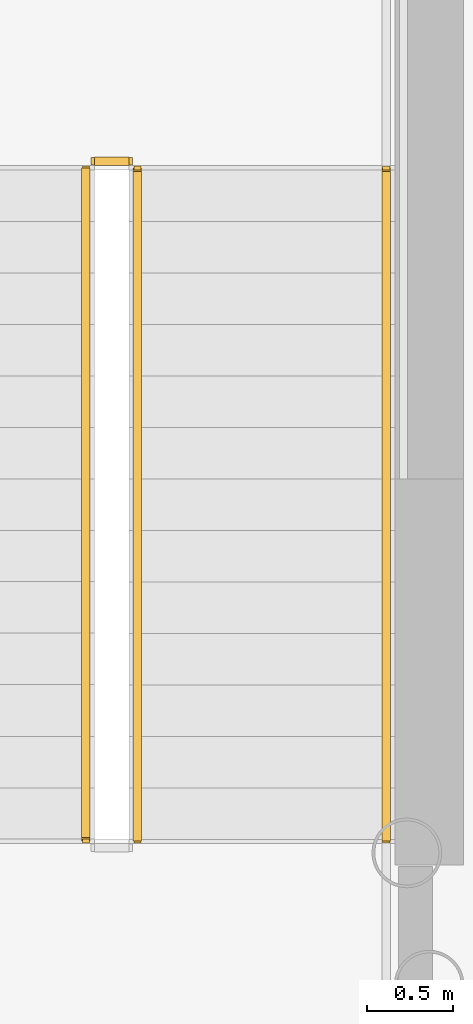
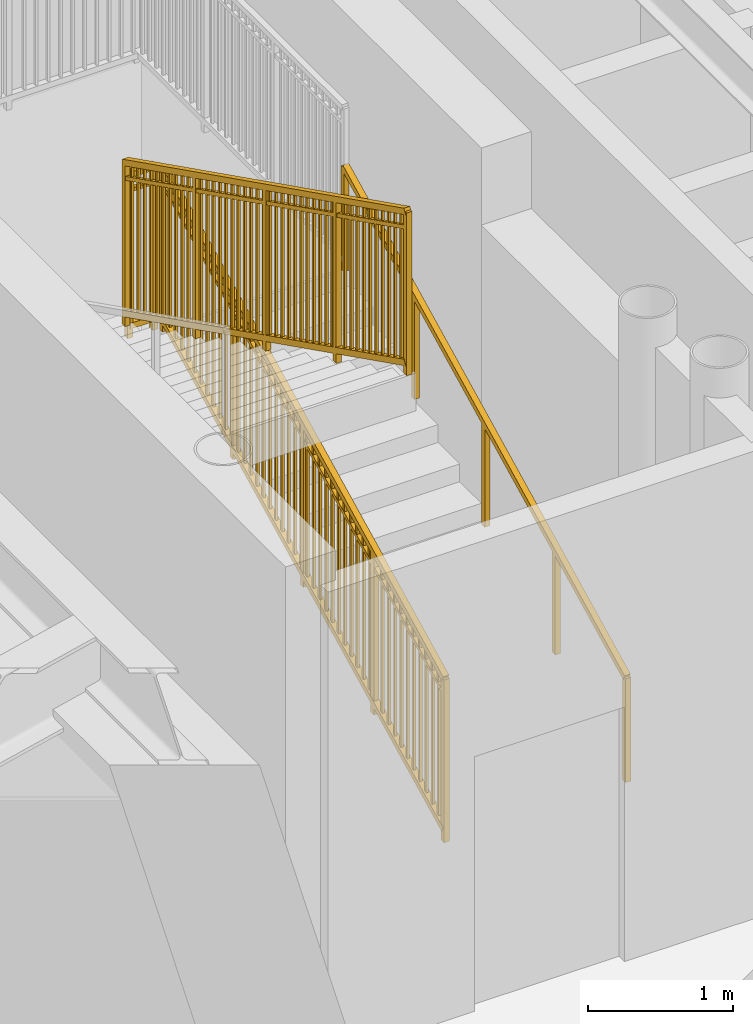
# One storey, part 16 of 21: 4 railings.
"""IFC4 building model written with IfcOpenShell, lengths in metres."""

from ifc_helpers import new_model, si_unit, direction, frame, origin, origin_2d, place, context, subcontext, project, spatial, rectangle, extrude, source, transform, mapped, material, type_object, element, save


model = new_model("IFC4")

# Units and contexts
model_context = context("Model", 3, precision=1e-05, world=origin(), true_north=direction((0.0, 1.0)))
body_context = subcontext(model_context, "Body", "Model", "MODEL_VIEW")
ifc_project = project(units=[si_unit("LENGTHUNIT", "METRE"), si_unit("AREAUNIT", "SQUARE_METRE"), si_unit("VOLUMEUNIT", "CUBIC_METRE"), si_unit("PLANEANGLEUNIT", "RADIAN"), si_unit("MASSUNIT", "GRAM", prefix="KILO")], contexts=[model_context])

# Site, building, storey
site_placement = place(None, origin())
site = spatial("IfcSite", under=ifc_project, at=site_placement, CompositionType="ELEMENT")
building_placement = place(site_placement, origin())
building = spatial("IfcBuilding", under=site, at=building_placement, Name="Linh Dai School and Residence Tower", CompositionType="ELEMENT")
storey_placement = place(building_placement, frame((0.0, 0.0, 61.800048828125)))
storey = spatial("IfcBuildingStorey", under=building, at=storey_placement, Name="L14", CompositionType="ELEMENT", Elevation=61.800048828125)

# Railings
ifc_material_1 = material(Name="Structural Steel S355JR", Category="steel")
railing_type_1 = type_object("IfcRailingType", Name="RL-ST-GUARD-1400", PredefinedType="GUARDRAIL", material=ifc_material_1)
shared_shape_1 = source(origin(), body_context, "Body", "SweptSolid", [
    extrude(rectangle(XDim=0.048095703125, YDim=0.048095703125, at=origin_2d()), frame((0.0, 0.0, 1.3759765625), z_axis=(-1.0, 0.0, 0.0), x_axis=(0.0, -1.0, 0.0)), (0.0, 0.0, 1.0), 0.199951171875),
    extrude(rectangle(XDim=0.048095703125, YDim=0.048095703125, at=origin_2d()), frame((0.0, 0.0, 0.10009765625), z_axis=(-1.0, 0.0, 0.0), x_axis=(0.0, -1.0, 0.0)), (0.0, 0.0, 1.0), 0.199951171875),
    extrude(rectangle(XDim=0.030029296875, YDim=0.030029296875, at=origin_2d()), frame((0.0, 0.0, 1.239990234375), z_axis=(-1.0, 0.0, 0.0), x_axis=(0.0, -1.0, 0.0)), (0.0, 0.0, 1.0), 0.199951171875),
    extrude(rectangle(XDim=0.0419921875, YDim=0.0419921875, at=origin_2d()), origin(), (0.0, 0.0, 1.0), 1.3759765625),
    extrude(rectangle(XDim=0.0419921875, YDim=0.0419921875, at=origin_2d()), frame((-0.199951171875, 0.0, 0.0)), (0.0, 0.0, 1.0), 1.3759765625),
])
railing_1_placement = place(storey_placement, frame((29.429931640625, 29.64990234375, 2.099853515625)))
element("IfcRailing", 1, at=railing_1_placement, inside=storey, type_object=railing_type_1, Name="L14 ST1 stair guard 2", PredefinedType="GUARDRAIL", context=body_context, shape_type="MappedRepresentation", body=[
    mapped(shared_shape_1, transform((0.0, 0.0, 0.0), x_axis=(1.0, 0.0, 0.0), y_axis=(0.0, 1.0, 0.0), z_axis=(0.0, 0.0, 1.0), scale=1.0)),
])
shared_shape_2 = source(origin(), body_context, "Body", "SweptSolid", [
    extrude(rectangle(XDim=0.048095703125, YDim=0.048095703125, at=origin_2d()), frame((0.0, 0.0, 1.3759765625), z_axis=(0.0, -0.894438388696, 0.447191199406), x_axis=(1.0, 0.0, 0.0)), (0.0, 0.0, 1.0), 4.3603515625),
    extrude(rectangle(XDim=0.048095703125, YDim=0.048095703125, at=origin_2d()), frame((0.0, 0.0, 0.10009765625), z_axis=(0.0, -0.894438388696, 0.447191199406), x_axis=(1.0, 0.0, 0.0)), (0.0, 0.0, 1.0), 4.3603515625),
    extrude(rectangle(XDim=0.030029296875, YDim=0.030029296875, at=origin_2d()), frame((0.0, 0.0, 1.239990234375), z_axis=(0.0, -0.894438388696, 0.447191199406), x_axis=(1.0, 0.0, 0.0)), (0.0, 0.0, 1.0), 4.3603515625),
    extrude(rectangle(XDim=0.02001953125, YDim=0.02001953125, at=origin_2d()), frame((0.0, -0.086669921875, 0.143310546875)), (0.0, 0.0, 1.0), 1.251708984375),
    extrude(rectangle(XDim=0.02001953125, YDim=0.02001953125, at=origin_2d()), frame((0.0, -0.17333984375, 0.186767578125)), (0.0, 0.0, 1.0), 1.251708984375),
    extrude(rectangle(XDim=0.02001953125, YDim=0.02001953125, at=origin_2d()), frame((0.0, -0.260009765625, 0.22998046875)), (0.0, 0.0, 1.0), 1.251708984375),
    extrude(rectangle(XDim=0.02001953125, YDim=0.02001953125, at=origin_2d()), frame((0.0, -0.3466796875, 0.2734375)), (0.0, 0.0, 1.0), 1.251708984375),
    extrude(rectangle(XDim=0.02001953125, YDim=0.02001953125, at=origin_2d()), frame((0.0, -0.433349609375, 0.316650390625)), (0.0, 0.0, 1.0), 1.251708984375),
    extrude(rectangle(XDim=0.02001953125, YDim=0.02001953125, at=origin_2d()), frame((0.0, -0.52001953125, 0.360107421875)), (0.0, 0.0, 1.0), 1.251708984375),
    extrude(rectangle(XDim=0.02001953125, YDim=0.02001953125, at=origin_2d()), frame((0.0, -0.606689453125, 0.4033203125)), (0.0, 0.0, 1.0), 1.251708984375),
    extrude(rectangle(XDim=0.02001953125, YDim=0.02001953125, at=origin_2d()), frame((0.0, -0.693359375, 0.44677734375)), (0.0, 0.0, 1.0), 1.251708984375),
    extrude(rectangle(XDim=0.02001953125, YDim=0.02001953125, at=origin_2d()), frame((0.0, -0.780029296875, 0.489990234375)), (0.0, 0.0, 1.0), 1.251708984375),
    extrude(rectangle(XDim=0.02001953125, YDim=0.02001953125, at=origin_2d()), frame((0.0, -0.86669921875, 0.533447265625)), (0.0, 0.0, 1.0), 1.251708984375),
    extrude(rectangle(XDim=0.02001953125, YDim=0.02001953125, at=origin_2d()), frame((0.0, -1.0400390625, 0.6201171875)), (0.0, 0.0, 1.0), 1.251708984375),
    extrude(rectangle(XDim=0.02001953125, YDim=0.02001953125, at=origin_2d()), frame((0.0, -1.126708984375, 0.663330078125)), (0.0, 0.0, 1.0), 1.251708984375),
    extrude(rectangle(XDim=0.02001953125, YDim=0.02001953125, at=origin_2d()), frame((0.0, -1.21337890625, 0.706787109375)), (0.0, 0.0, 1.0), 1.251708984375),
    extrude(rectangle(XDim=0.02001953125, YDim=0.02001953125, at=origin_2d()), frame((0.0, -1.300048828125, 0.75)), (0.0, 0.0, 1.0), 1.251708984375),
    extrude(rectangle(XDim=0.02001953125, YDim=0.02001953125, at=origin_2d()), frame((0.0, -1.38671875, 0.79345703125)), (0.0, 0.0, 1.0), 1.251708984375),
    extrude(rectangle(XDim=0.02001953125, YDim=0.02001953125, at=origin_2d()), frame((0.0, -1.473388671875, 0.836669921875)), (0.0, 0.0, 1.0), 1.251708984375),
    extrude(rectangle(XDim=0.02001953125, YDim=0.02001953125, at=origin_2d()), frame((0.0, -1.56005859375, 0.880126953125)), (0.0, 0.0, 1.0), 1.251708984375),
    extrude(rectangle(XDim=0.02001953125, YDim=0.02001953125, at=origin_2d()), frame((0.0, -1.646728515625, 0.92333984375)), (0.0, 0.0, 1.0), 1.251708984375),
    extrude(rectangle(XDim=0.02001953125, YDim=0.02001953125, at=origin_2d()), frame((0.0, -1.7333984375, 0.966796875)), (0.0, 0.0, 1.0), 1.251708984375),
    extrude(rectangle(XDim=0.02001953125, YDim=0.02001953125, at=origin_2d()), frame((0.0, -1.820068359375, 1.010009765625)), (0.0, 0.0, 1.0), 1.251708984375),
    extrude(rectangle(XDim=0.02001953125, YDim=0.02001953125, at=origin_2d()), frame((0.0, -1.90673828125, 1.053466796875)), (0.0, 0.0, 1.0), 1.251708984375),
    extrude(rectangle(XDim=0.02001953125, YDim=0.02001953125, at=origin_2d()), frame((0.0, -1.993408203125, 1.0966796875)), (0.0, 0.0, 1.0), 1.251708984375),
    extrude(rectangle(XDim=0.02001953125, YDim=0.02001953125, at=origin_2d()), frame((0.0, -2.080078125, 1.14013671875)), (0.0, 0.0, 1.0), 1.251708984375),
    extrude(rectangle(XDim=0.02001953125, YDim=0.02001953125, at=origin_2d()), frame((0.0, -2.166748046875, 1.183349609375)), (0.0, 0.0, 1.0), 1.251708984375),
    extrude(rectangle(XDim=0.02001953125, YDim=0.02001953125, at=origin_2d()), frame((0.0, -2.25341796875, 1.226806640625)), (0.0, 0.0, 1.0), 1.251708984375),
    extrude(rectangle(XDim=0.02001953125, YDim=0.02001953125, at=origin_2d()), frame((0.0, -2.340087890625, 1.27001953125)), (0.0, 0.0, 1.0), 1.251708984375),
    extrude(rectangle(XDim=0.02001953125, YDim=0.02001953125, at=origin_2d()), frame((0.0, -2.4267578125, 1.3134765625)), (0.0, 0.0, 1.0), 1.251708984375),
    extrude(rectangle(XDim=0.02001953125, YDim=0.02001953125, at=origin_2d()), frame((0.0, -2.513427734375, 1.356689453125)), (0.0, 0.0, 1.0), 1.251708984375),
    extrude(rectangle(XDim=0.02001953125, YDim=0.02001953125, at=origin_2d()), frame((0.0, -2.60009765625, 1.400146484375)), (0.0, 0.0, 1.0), 1.251708984375),
    extrude(rectangle(XDim=0.02001953125, YDim=0.02001953125, at=origin_2d()), frame((0.0, -2.686767578125, 1.443359375)), (0.0, 0.0, 1.0), 1.251708984375),
    extrude(rectangle(XDim=0.02001953125, YDim=0.02001953125, at=origin_2d()), frame((0.0, -2.7734375, 1.48681640625)), (0.0, 0.0, 1.0), 1.251708984375),
    extrude(rectangle(XDim=0.02001953125, YDim=0.02001953125, at=origin_2d()), frame((0.0, -2.860107421875, 1.530029296875)), (0.0, 0.0, 1.0), 1.251708984375),
    extrude(rectangle(XDim=0.02001953125, YDim=0.02001953125, at=origin_2d()), frame((0.0, -3.033447265625, 1.61669921875)), (0.0, 0.0, 1.0), 1.251708984375),
    extrude(rectangle(XDim=0.02001953125, YDim=0.02001953125, at=origin_2d()), frame((0.0, -3.1201171875, 1.66015625)), (0.0, 0.0, 1.0), 1.251708984375),
    extrude(rectangle(XDim=0.02001953125, YDim=0.02001953125, at=origin_2d()), frame((0.0, -3.206787109375, 1.703369140625)), (0.0, 0.0, 1.0), 1.251708984375),
    extrude(rectangle(XDim=0.02001953125, YDim=0.02001953125, at=origin_2d()), frame((0.0, -3.29345703125, 1.746826171875)), (0.0, 0.0, 1.0), 1.251708984375),
    extrude(rectangle(XDim=0.02001953125, YDim=0.02001953125, at=origin_2d()), frame((0.0, -3.380126953125, 1.7900390625)), (0.0, 0.0, 1.0), 1.251708984375),
    extrude(rectangle(XDim=0.02001953125, YDim=0.02001953125, at=origin_2d()), frame((0.0, -3.466796875, 1.83349609375)), (0.0, 0.0, 1.0), 1.251708984375),
    extrude(rectangle(XDim=0.02001953125, YDim=0.02001953125, at=origin_2d()), frame((0.0, -3.553466796875, 1.876708984375)), (0.0, 0.0, 1.0), 1.251708984375),
    extrude(rectangle(XDim=0.02001953125, YDim=0.02001953125, at=origin_2d()), frame((0.0, -3.64013671875, 1.920166015625)), (0.0, 0.0, 1.0), 1.251708984375),
    extrude(rectangle(XDim=0.02001953125, YDim=0.02001953125, at=origin_2d()), frame((0.0, -3.726806640625, 1.96337890625)), (0.0, 0.0, 1.0), 1.251708984375),
    extrude(rectangle(XDim=0.02001953125, YDim=0.02001953125, at=origin_2d()), frame((0.0, -3.8134765625, 2.0068359375)), (0.0, 0.0, 1.0), 1.251708984375),
    extrude(rectangle(XDim=0.0419921875, YDim=0.0419921875, at=origin_2d()), origin(), (0.0, 0.0, 1.0), 1.3759765625),
    extrude(rectangle(XDim=0.0419921875, YDim=0.0419921875, at=origin_2d()), frame((0.0, -0.97509765625, 0.487548828125)), (0.0, 0.0, 1.0), 1.3759765625),
    extrude(rectangle(XDim=0.0419921875, YDim=0.0419921875, at=origin_2d()), frame((0.0, -1.9501953125, 0.97509765625)), (0.0, 0.0, 1.0), 1.3759765625),
    extrude(rectangle(XDim=0.0419921875, YDim=0.0419921875, at=origin_2d()), frame((0.0, -2.925048828125, 1.46240234375)), (0.0, 0.0, 1.0), 1.3759765625),
    extrude(rectangle(XDim=0.0419921875, YDim=0.0419921875, at=origin_2d()), frame((0.0, -3.900146484375, 1.949951171875)), (0.0, 0.0, 1.0), 1.3759765625),
])
railing_2_placement = place(storey_placement, frame((29.179931640625, 29.60009765625, 2.25)))
element("IfcRailing", 2, at=railing_2_placement, inside=storey, type_object=railing_type_1, Name="L14 ST1 stair guard 6", PredefinedType="GUARDRAIL", context=body_context, shape_type="MappedRepresentation", body=[
    mapped(shared_shape_2, transform((0.0, 0.0, 0.0), x_axis=(1.0, 0.0, 0.0), y_axis=(0.0, 1.0, 0.0), z_axis=(0.0, 0.0, 1.0), scale=1.0)),
])
shared_shape_3 = source(origin(), body_context, "Body", "SweptSolid", [
    extrude(rectangle(XDim=0.048095703125, YDim=0.048095703125, at=origin_2d()), frame((0.0, 0.0, 1.3759765625), z_axis=(0.0, 0.894438388696, 0.447191199406), x_axis=(-1.0, 0.0, 0.0)), (0.0, 0.0, 1.0), 4.3603515625),
    extrude(rectangle(XDim=0.048095703125, YDim=0.048095703125, at=origin_2d()), frame((0.0, 0.0, 0.10009765625), z_axis=(0.0, 0.894438388696, 0.447191199406), x_axis=(-1.0, 0.0, 0.0)), (0.0, 0.0, 1.0), 4.3603515625),
    extrude(rectangle(XDim=0.030029296875, YDim=0.030029296875, at=origin_2d()), frame((0.0, 0.0, 1.239990234375), z_axis=(0.0, 0.894438388696, 0.447191199406), x_axis=(-1.0, 0.0, 0.0)), (0.0, 0.0, 1.0), 4.3603515625),
    extrude(rectangle(XDim=0.02001953125, YDim=0.02001953125, at=origin_2d()), frame((0.0, 0.086669921875, 0.143310546875)), (0.0, 0.0, 1.0), 1.251708984375),
    extrude(rectangle(XDim=0.02001953125, YDim=0.02001953125, at=origin_2d()), frame((0.0, 0.17333984375, 0.186767578125)), (0.0, 0.0, 1.0), 1.251708984375),
    extrude(rectangle(XDim=0.02001953125, YDim=0.02001953125, at=origin_2d()), frame((0.0, 0.260009765625, 0.22998046875)), (0.0, 0.0, 1.0), 1.251708984375),
    extrude(rectangle(XDim=0.02001953125, YDim=0.02001953125, at=origin_2d()), frame((0.0, 0.3466796875, 0.2734375)), (0.0, 0.0, 1.0), 1.251708984375),
    extrude(rectangle(XDim=0.02001953125, YDim=0.02001953125, at=origin_2d()), frame((0.0, 0.433349609375, 0.316650390625)), (0.0, 0.0, 1.0), 1.251708984375),
    extrude(rectangle(XDim=0.02001953125, YDim=0.02001953125, at=origin_2d()), frame((0.0, 0.52001953125, 0.360107421875)), (0.0, 0.0, 1.0), 1.251708984375),
    extrude(rectangle(XDim=0.02001953125, YDim=0.02001953125, at=origin_2d()), frame((0.0, 0.606689453125, 0.4033203125)), (0.0, 0.0, 1.0), 1.251708984375),
    extrude(rectangle(XDim=0.02001953125, YDim=0.02001953125, at=origin_2d()), frame((0.0, 0.693359375, 0.44677734375)), (0.0, 0.0, 1.0), 1.251708984375),
    extrude(rectangle(XDim=0.02001953125, YDim=0.02001953125, at=origin_2d()), frame((0.0, 0.780029296875, 0.489990234375)), (0.0, 0.0, 1.0), 1.251708984375),
    extrude(rectangle(XDim=0.02001953125, YDim=0.02001953125, at=origin_2d()), frame((0.0, 0.86669921875, 0.533447265625)), (0.0, 0.0, 1.0), 1.251708984375),
    extrude(rectangle(XDim=0.02001953125, YDim=0.02001953125, at=origin_2d()), frame((0.0, 1.0400390625, 0.6201171875)), (0.0, 0.0, 1.0), 1.251708984375),
    extrude(rectangle(XDim=0.02001953125, YDim=0.02001953125, at=origin_2d()), frame((0.0, 1.126708984375, 0.663330078125)), (0.0, 0.0, 1.0), 1.251708984375),
    extrude(rectangle(XDim=0.02001953125, YDim=0.02001953125, at=origin_2d()), frame((0.0, 1.21337890625, 0.706787109375)), (0.0, 0.0, 1.0), 1.251708984375),
    extrude(rectangle(XDim=0.02001953125, YDim=0.02001953125, at=origin_2d()), frame((0.0, 1.300048828125, 0.75)), (0.0, 0.0, 1.0), 1.251708984375),
    extrude(rectangle(XDim=0.02001953125, YDim=0.02001953125, at=origin_2d()), frame((0.0, 1.38671875, 0.79345703125)), (0.0, 0.0, 1.0), 1.251708984375),
    extrude(rectangle(XDim=0.02001953125, YDim=0.02001953125, at=origin_2d()), frame((0.0, 1.473388671875, 0.836669921875)), (0.0, 0.0, 1.0), 1.251708984375),
    extrude(rectangle(XDim=0.02001953125, YDim=0.02001953125, at=origin_2d()), frame((0.0, 1.56005859375, 0.880126953125)), (0.0, 0.0, 1.0), 1.251708984375),
    extrude(rectangle(XDim=0.02001953125, YDim=0.02001953125, at=origin_2d()), frame((0.0, 1.646728515625, 0.92333984375)), (0.0, 0.0, 1.0), 1.251708984375),
    extrude(rectangle(XDim=0.02001953125, YDim=0.02001953125, at=origin_2d()), frame((0.0, 1.7333984375, 0.966796875)), (0.0, 0.0, 1.0), 1.251708984375),
    extrude(rectangle(XDim=0.02001953125, YDim=0.02001953125, at=origin_2d()), frame((0.0, 1.820068359375, 1.010009765625)), (0.0, 0.0, 1.0), 1.251708984375),
    extrude(rectangle(XDim=0.02001953125, YDim=0.02001953125, at=origin_2d()), frame((0.0, 1.90673828125, 1.053466796875)), (0.0, 0.0, 1.0), 1.251708984375),
    extrude(rectangle(XDim=0.02001953125, YDim=0.02001953125, at=origin_2d()), frame((0.0, 1.993408203125, 1.0966796875)), (0.0, 0.0, 1.0), 1.251708984375),
    extrude(rectangle(XDim=0.02001953125, YDim=0.02001953125, at=origin_2d()), frame((0.0, 2.080078125, 1.14013671875)), (0.0, 0.0, 1.0), 1.251708984375),
    extrude(rectangle(XDim=0.02001953125, YDim=0.02001953125, at=origin_2d()), frame((0.0, 2.166748046875, 1.183349609375)), (0.0, 0.0, 1.0), 1.251708984375),
    extrude(rectangle(XDim=0.02001953125, YDim=0.02001953125, at=origin_2d()), frame((0.0, 2.25341796875, 1.226806640625)), (0.0, 0.0, 1.0), 1.251708984375),
    extrude(rectangle(XDim=0.02001953125, YDim=0.02001953125, at=origin_2d()), frame((0.0, 2.340087890625, 1.27001953125)), (0.0, 0.0, 1.0), 1.251708984375),
    extrude(rectangle(XDim=0.02001953125, YDim=0.02001953125, at=origin_2d()), frame((0.0, 2.4267578125, 1.3134765625)), (0.0, 0.0, 1.0), 1.251708984375),
    extrude(rectangle(XDim=0.02001953125, YDim=0.02001953125, at=origin_2d()), frame((0.0, 2.513427734375, 1.356689453125)), (0.0, 0.0, 1.0), 1.251708984375),
    extrude(rectangle(XDim=0.02001953125, YDim=0.02001953125, at=origin_2d()), frame((0.0, 2.60009765625, 1.400146484375)), (0.0, 0.0, 1.0), 1.251708984375),
    extrude(rectangle(XDim=0.02001953125, YDim=0.02001953125, at=origin_2d()), frame((0.0, 2.686767578125, 1.443359375)), (0.0, 0.0, 1.0), 1.251708984375),
    extrude(rectangle(XDim=0.02001953125, YDim=0.02001953125, at=origin_2d()), frame((0.0, 2.7734375, 1.48681640625)), (0.0, 0.0, 1.0), 1.251708984375),
    extrude(rectangle(XDim=0.02001953125, YDim=0.02001953125, at=origin_2d()), frame((0.0, 2.860107421875, 1.530029296875)), (0.0, 0.0, 1.0), 1.251708984375),
    extrude(rectangle(XDim=0.02001953125, YDim=0.02001953125, at=origin_2d()), frame((0.0, 3.033447265625, 1.61669921875)), (0.0, 0.0, 1.0), 1.251708984375),
    extrude(rectangle(XDim=0.02001953125, YDim=0.02001953125, at=origin_2d()), frame((0.0, 3.1201171875, 1.66015625)), (0.0, 0.0, 1.0), 1.251708984375),
    extrude(rectangle(XDim=0.02001953125, YDim=0.02001953125, at=origin_2d()), frame((0.0, 3.206787109375, 1.703369140625)), (0.0, 0.0, 1.0), 1.251708984375),
    extrude(rectangle(XDim=0.02001953125, YDim=0.02001953125, at=origin_2d()), frame((0.0, 3.29345703125, 1.746826171875)), (0.0, 0.0, 1.0), 1.251708984375),
    extrude(rectangle(XDim=0.02001953125, YDim=0.02001953125, at=origin_2d()), frame((0.0, 3.380126953125, 1.7900390625)), (0.0, 0.0, 1.0), 1.251708984375),
    extrude(rectangle(XDim=0.02001953125, YDim=0.02001953125, at=origin_2d()), frame((0.0, 3.466796875, 1.83349609375)), (0.0, 0.0, 1.0), 1.251708984375),
    extrude(rectangle(XDim=0.02001953125, YDim=0.02001953125, at=origin_2d()), frame((0.0, 3.553466796875, 1.876708984375)), (0.0, 0.0, 1.0), 1.251708984375),
    extrude(rectangle(XDim=0.02001953125, YDim=0.02001953125, at=origin_2d()), frame((0.0, 3.64013671875, 1.920166015625)), (0.0, 0.0, 1.0), 1.251708984375),
    extrude(rectangle(XDim=0.02001953125, YDim=0.02001953125, at=origin_2d()), frame((0.0, 3.726806640625, 1.96337890625)), (0.0, 0.0, 1.0), 1.251708984375),
    extrude(rectangle(XDim=0.02001953125, YDim=0.02001953125, at=origin_2d()), frame((0.0, 3.8134765625, 2.0068359375)), (0.0, 0.0, 1.0), 1.251708984375),
    extrude(rectangle(XDim=0.0419921875, YDim=0.0419921875, at=origin_2d()), origin(), (0.0, 0.0, 1.0), 1.3759765625),
    extrude(rectangle(XDim=0.0419921875, YDim=0.0419921875, at=origin_2d()), frame((0.0, 0.97509765625, 0.487548828125)), (0.0, 0.0, 1.0), 1.3759765625),
    extrude(rectangle(XDim=0.0419921875, YDim=0.0419921875, at=origin_2d()), frame((0.0, 1.9501953125, 0.97509765625)), (0.0, 0.0, 1.0), 1.3759765625),
    extrude(rectangle(XDim=0.0419921875, YDim=0.0419921875, at=origin_2d()), frame((0.0, 2.925048828125, 1.46240234375)), (0.0, 0.0, 1.0), 1.3759765625),
    extrude(rectangle(XDim=0.0419921875, YDim=0.0419921875, at=origin_2d()), frame((0.0, 3.900146484375, 1.949951171875)), (0.0, 0.0, 1.0), 1.3759765625),
])
railing_3_placement = place(storey_placement, frame((29.47998046875, 25.699951171875, 0.14990234375)))
element("IfcRailing", 3, at=railing_3_placement, inside=storey, type_object=railing_type_1, Name="L14 ST1 stair guard 1", PredefinedType="GUARDRAIL", context=body_context, shape_type="MappedRepresentation", body=[
    mapped(shared_shape_3, transform((0.0, 0.0, 0.0), x_axis=(1.0, 0.0, 0.0), y_axis=(0.0, 1.0, 0.0), z_axis=(0.0, 0.0, 1.0), scale=1.0)),
])
ifc_material_2 = material(Name="Brushed Stainless Steel Handrail", Category="steel")
railing_type_2 = type_object("IfcRailingType", Name="RL-ST-HANDRAIL-900", PredefinedType="HANDRAIL", material=ifc_material_2)
shared_shape_4 = source(origin(), body_context, "Body", "SweptSolid", [
    extrude(rectangle(XDim=0.048095703125, YDim=0.048095703125, at=origin_2d()), frame((0.0, 0.0, 0.8759765625), z_axis=(0.0, 0.894438388696, 0.447191199406), x_axis=(-1.0, 0.0, 0.0)), (0.0, 0.0, 1.0), 4.3603515625),
    extrude(rectangle(XDim=0.0419921875, YDim=0.0419921875, at=origin_2d()), origin(), (0.0, 0.0, 1.0), 0.8759765625),
    extrude(rectangle(XDim=0.0419921875, YDim=0.0419921875, at=origin_2d()), frame((0.0, 0.97509765625, 0.487548828125)), (0.0, 0.0, 1.0), 0.8759765625),
    extrude(rectangle(XDim=0.0419921875, YDim=0.0419921875, at=origin_2d()), frame((0.0, 1.9501953125, 0.97509765625)), (0.0, 0.0, 1.0), 0.8759765625),
    extrude(rectangle(XDim=0.0419921875, YDim=0.0419921875, at=origin_2d()), frame((0.0, 2.925048828125, 1.46240234375)), (0.0, 0.0, 1.0), 0.8759765625),
    extrude(rectangle(XDim=0.0419921875, YDim=0.0419921875, at=origin_2d()), frame((0.0, 3.900146484375, 1.949951171875)), (0.0, 0.0, 1.0), 0.8759765625),
])
railing_4_placement = place(storey_placement, frame((30.929931640625, 25.699951171875, 0.14990234375)))
element("IfcRailing", 4, at=railing_4_placement, inside=storey, type_object=railing_type_2, Name="L14 ST1 stair handrail 1", PredefinedType="HANDRAIL", context=body_context, shape_type="MappedRepresentation", body=[
    mapped(shared_shape_4, transform((0.0, 0.0, 0.0), x_axis=(1.0, 0.0, 0.0), y_axis=(0.0, 1.0, 0.0), z_axis=(0.0, 0.0, 1.0), scale=1.0)),
])

save(model, "model.ifc")
